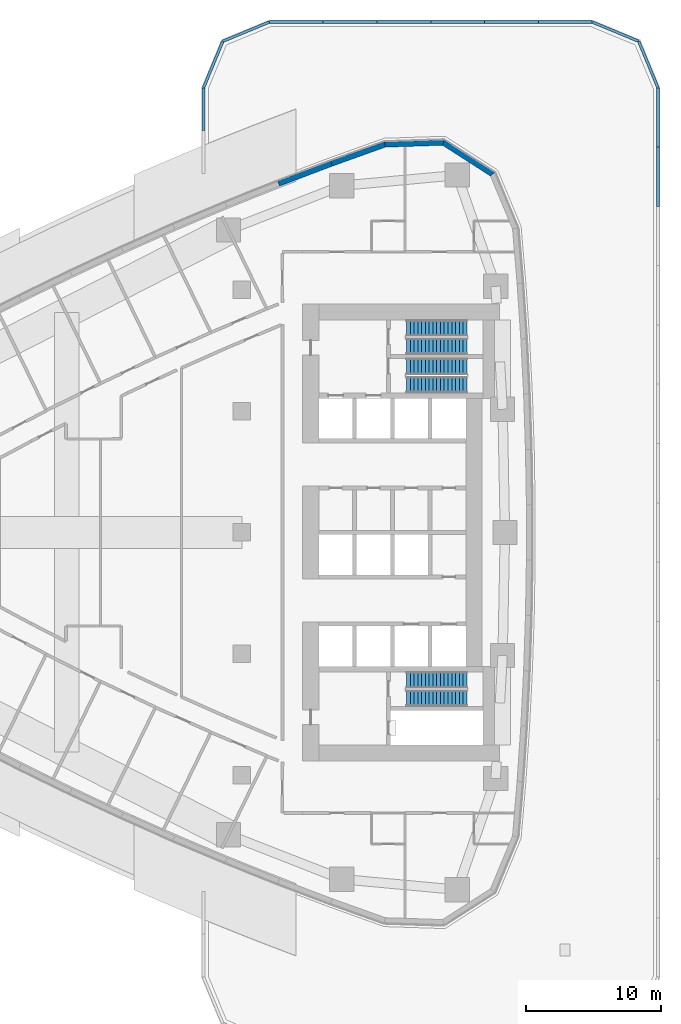
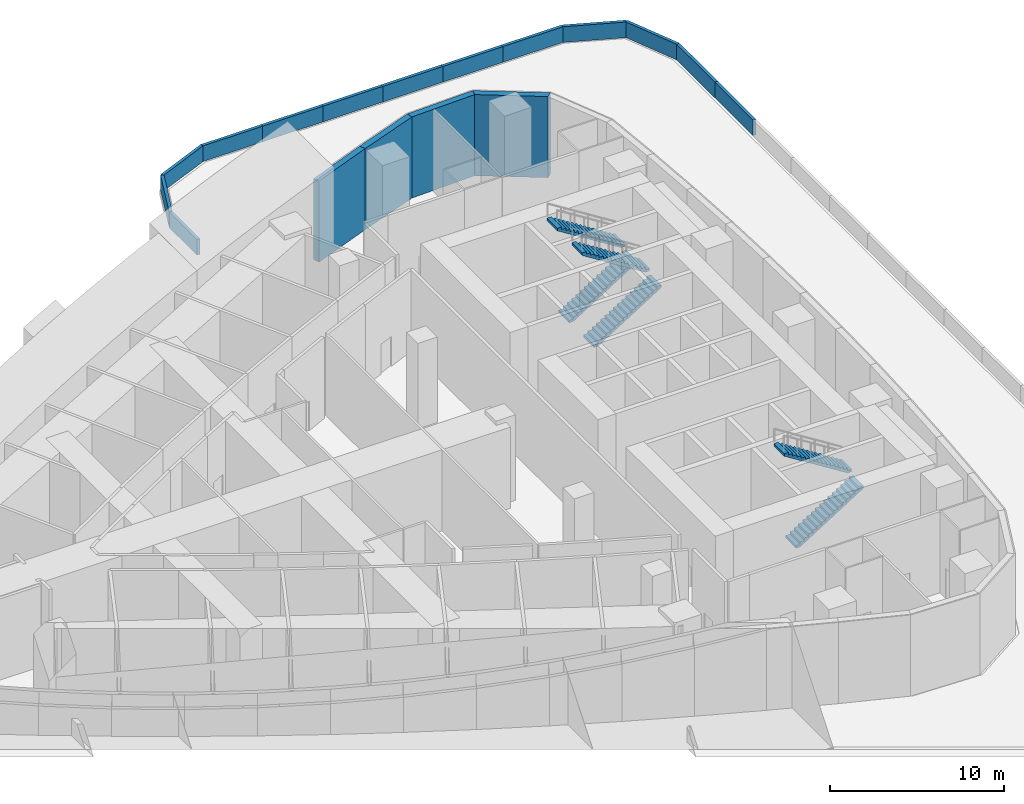
# One storey, part 7 of 14: 17 walls, 6 stair flights, 3 elements without a shape of their own.
"""IFC4 building model written with IfcOpenShell, lengths in metres."""

from ifc_helpers import new_model, si_unit, direction, frame, frame_2d, origin, place, context, subcontext, project, spatial, polyline, rectangle, outline, extrude, material, layer, layer_set, type_object, element, aggregate, save


model = new_model("IFC4")

# Units and contexts
model_context = context("Model", 3, precision=1e-05, world=origin(), true_north=direction((0.0, 1.0)))
body_context = subcontext(model_context, "Body", "Model", "MODEL_VIEW")
ifc_project = project(units=[si_unit("LENGTHUNIT", "METRE"), si_unit("AREAUNIT", "SQUARE_METRE"), si_unit("VOLUMEUNIT", "CUBIC_METRE"), si_unit("PLANEANGLEUNIT", "RADIAN"), si_unit("MASSUNIT", "GRAM", prefix="KILO")], contexts=[model_context])

# Site, building, storey
site_placement = place(None, origin())
site = spatial("IfcSite", under=ifc_project, at=site_placement, CompositionType="ELEMENT")
building_placement = place(site_placement, origin())
building = spatial("IfcBuilding", under=site, at=building_placement, Name="Ostrand Prow Hotel Tower", CompositionType="ELEMENT")
storey_placement = place(building_placement, frame((0.0, 0.0, 29.0)))
storey = spatial("IfcBuildingStorey", under=building, at=storey_placement, Name="L05", CompositionType="ELEMENT", Elevation=29.0)

# Walls
ifc_material_1 = material(Name="Precast concrete C40/50", Category="concrete")
ifc_layer_1 = layer(ifc_material_1, 0.199951171875)
ifc_layer_set_1 = layer_set([ifc_layer_1], Name="Precast concrete C40/50")
wall_type_1 = type_object("IfcWallType", Name="Roof parapet 200 mm precast concrete", PredefinedType="PARAPET", material=ifc_layer_set_1)
wall_1_placement = place(storey_placement, frame((42.14990234375, 32.97021484375, 0.0), z_axis=(0.0, 0.0, 1.0), x_axis=(0.0, -1.0, 0.0)))
element("IfcWall", 1, at=wall_1_placement, inside=storey, type_object=wall_type_1, Name="Roof parapet PRP0 1.1", PredefinedType="PARAPET", context=body_context, shape_type="SweptSolid", body=[
    extrude(rectangle(XDim=3.1787109375, YDim=0.199951171875, at=frame_2d((1.58935546875, 0.0))), origin(), (0.0, 0.0, 1.0), 1.10009765625),
])
wall_2_placement = place(storey_placement, frame((75.85009765625, 24.177978515625, 0.0), z_axis=(0.0, 0.0, 1.0), x_axis=(0.0, 1.0, 0.0)))
element("IfcWall", 2, at=wall_2_placement, inside=storey, type_object=wall_type_1, Name="Roof parapet PRP0 1.55", PredefinedType="PARAPET", context=body_context, shape_type="SweptSolid", body=[
    extrude(rectangle(XDim=4.396240234375, YDim=0.199951171875, at=frame_2d((2.1982421875, 0.0))), origin(), (0.0, 0.0, 1.0), 1.10009765625),
])
wall_3_placement = place(storey_placement, frame((75.85009765625, 28.57421875, 0.0), z_axis=(0.0, 0.0, 1.0), x_axis=(0.0, 1.0, 0.0)))
element("IfcWall", 3, at=wall_3_placement, inside=storey, type_object=wall_type_1, Name="Roof parapet PRP0 1.56", PredefinedType="PARAPET", context=body_context, shape_type="SweptSolid", body=[
    extrude(rectangle(XDim=4.39599609375, YDim=0.199951171875, at=frame_2d((2.197998046875, 0.0))), origin(), (0.0, 0.0, 1.0), 1.10009765625),
])
for number, where, z_axis, x_axis, name in (
    (4, (75.85009765625, 32.97021484375, 0.0), (0.0, 0.0, 1.0), (-0.382734748475, 0.923858275013, 0.0), "Roof parapet PRP0 1.57"),
    (5, (74.420654296875, 36.420654296875, 0.0), (0.0, 0.0, 1.0), (-0.923858275013, 0.382734748475, 0.0), "Roof parapet PRP0 1.58"),
):
    element("IfcWall", number, at=place(storey_placement, frame(where, z_axis=z_axis, x_axis=x_axis)), inside=storey, type_object=wall_type_1, Name=name, PredefinedType="PARAPET", context=body_context, shape_type="SweptSolid", body=[
        extrude(rectangle(XDim=3.73486328125, YDim=0.199951171875, at=frame_2d((1.867431640625, 0.0))), origin(), (0.0, 0.0, 1.0), 1.10009765625),
    ])
wall_4_placement = place(storey_placement, frame((70.97021484375, 37.85009765625, 0.0), z_axis=(0.0, 0.0, 1.0), x_axis=(-1.0, 0.0, 0.0)))
element("IfcWall", 6, at=wall_4_placement, inside=storey, type_object=wall_type_1, Name="Roof parapet PRP0 1.59", PredefinedType="PARAPET", context=body_context, shape_type="SweptSolid", body=[
    extrude(rectangle(XDim=3.990234375, YDim=0.199951171875, at=frame_2d((1.9951171875, 0.0))), origin(), (0.0, 0.0, 1.0), 1.10009765625),
])
for number, where, z_axis, x_axis, name in (
    (7, (66.97998046875, 37.85009765625, 0.0), (0.0, 0.0, 1.0), (-1.0, 0.0, 0.0), "Roof parapet PRP0 1.60"),
    (8, (62.989990234375, 37.85009765625, 0.0), (0.0, 0.0, 1.0), (-1.0, 0.0, 0.0), "Roof parapet PRP0 1.61"),
    (9, (59.0, 37.85009765625, 0.0), (0.0, 0.0, 1.0), (-1.0, 0.0, 0.0), "Roof parapet PRP0 1.62"),
    (10, (55.010009765625, 37.85009765625, 0.0), (0.0, 0.0, 1.0), (-1.0, 0.0, 0.0), "Roof parapet PRP0 1.63"),
):
    element("IfcWall", number, at=place(storey_placement, frame(where, z_axis=z_axis, x_axis=x_axis)), inside=storey, type_object=wall_type_1, Name=name, PredefinedType="PARAPET", context=body_context, shape_type="SweptSolid", body=[
        extrude(rectangle(XDim=3.989990234375, YDim=0.199951171875, at=frame_2d((1.9951171875, 0.0))), origin(), (0.0, 0.0, 1.0), 1.10009765625),
    ])
wall_5_placement = place(storey_placement, frame((51.02001953125, 37.85009765625, 0.0), z_axis=(0.0, 0.0, 1.0), x_axis=(-1.0, 0.0, 0.0)))
element("IfcWall", 11, at=wall_5_placement, inside=storey, type_object=wall_type_1, Name="Roof parapet PRP0 1.64", PredefinedType="PARAPET", context=body_context, shape_type="SweptSolid", body=[
    extrude(rectangle(XDim=3.990234375, YDim=0.199951171875, at=frame_2d((1.9951171875, 0.0))), origin(), (0.0, 0.0, 1.0), 1.10009765625),
])
for number, where, z_axis, x_axis, name in (
    (12, (47.02978515625, 37.85009765625, 0.0), (0.0, 0.0, 1.0), (-0.923858275013, -0.382734748475, 0.0), "Roof parapet PRP0 1.65"),
    (13, (43.579345703125, 36.420654296875, 0.0), (0.0, 0.0, 1.0), (-0.382734748475, -0.923858275013, 0.0), "Roof parapet PRP0 1.66"),
):
    element("IfcWall", number, at=place(storey_placement, frame(where, z_axis=z_axis, x_axis=x_axis)), inside=storey, type_object=wall_type_1, Name=name, PredefinedType="PARAPET", context=body_context, shape_type="SweptSolid", body=[
        extrude(rectangle(XDim=3.73486328125, YDim=0.199951171875, at=frame_2d((1.867431640625, 0.0))), origin(), (0.0, 0.0, 1.0), 1.10009765625),
    ])
ifc_material_2 = material(Name="Precast concrete C40/50", Category="concrete")
ifc_layer_2 = layer(ifc_material_2, 0.39990234375)
ifc_layer_set_2 = layer_set([ifc_layer_2], Name="Precast concrete C40/50")
wall_type_2 = type_object("IfcWallType", Name="Stone-faced precast wall 400 mm", PredefinedType="NOTDEFINED", material=ifc_layer_set_2)
wall_6_placement = place(storey_placement, frame((63.58837890625, 26.55810546875, 0.0), z_axis=(0.0, 0.0, 1.0), x_axis=(-0.840937468718, 0.541132307025, 0.0)))
element("IfcWall", 14, at=wall_6_placement, inside=storey, type_object=wall_type_2, Name="Stone-faced wall prow 32", PredefinedType="NOTDEFINED", context=body_context, shape_type="SweptSolid", body=[
    extrude(outline(polyline([(-0.0625, -0.199951171875), (4.40869140625, -0.199951171875), (4.28369140625, 0.199951171875), (0.0625, 0.199951171875), (-0.0625, -0.199951171875)])), origin(), (0.0, 0.0, 1.0), 5.699951171875),
])
wall_7_placement = place(storey_placement, frame((59.93359375, 28.909912109375, 0.0), z_axis=(0.0, 0.0, 1.0), x_axis=(-0.999463576228, -0.032749958686, 0.0)))
element("IfcWall", 15, at=wall_7_placement, inside=storey, type_object=wall_type_2, Name="Stone-faced wall prow 33", PredefinedType="NOTDEFINED", context=body_context, shape_type="SweptSolid", body=[
    extrude(outline(polyline([(-0.0625, -0.199951171875), (4.377685546875, -0.199951171875), (4.314697265625, 0.199951171875), (0.0625, 0.199951171875), (-0.0625, -0.199951171875)])), origin(), (0.0, 0.0, 1.0), 5.699951171875),
])
wall_8_placement = place(storey_placement, frame((55.58984375, 28.767578125, 0.0), z_axis=(0.0, 0.0, 1.0), x_axis=(-0.941339752885, -0.337460323057, 0.0)))
element("IfcWall", 16, at=wall_8_placement, inside=storey, type_object=wall_type_2, Name="Stone-faced wall prow 34", PredefinedType="NOTDEFINED", context=body_context, shape_type="SweptSolid", body=[
    extrude(outline(polyline([(-0.031494140625, -0.199951171875), (4.19775390625, -0.199951171875), (4.1943359375, 0.199951171875), (0.031494140625, 0.199951171875), (-0.031494140625, -0.199951171875)])), origin(), (0.0, 0.0, 1.0), 5.699951171875),
])
wall_9_placement = place(storey_placement, frame((51.639892578125, 27.3515625, 0.0), z_axis=(0.0, 0.0, 1.0), x_axis=(-0.934961594906, -0.354748947921, 0.0)))
element("IfcWall", 17, at=wall_9_placement, inside=storey, type_object=wall_type_2, Name="Stone-faced wall prow 35", PredefinedType="NOTDEFINED", context=body_context, shape_type="SweptSolid", body=[
    extrude(outline(polyline([(-0.001708984375, -0.199951171875), (4.19775390625, -0.199951171875), (4.1943359375, 0.199951171875), (0.001708984375, 0.199951171875), (-0.001708984375, -0.199951171875)])), origin(), (0.0, 0.0, 1.0), 5.699951171875),
])

# Stair, stair flights
ifc_material_3 = material(Name="Concrete C40/50", Category="concrete")
stair_type = type_object("IfcStairType", Name="Exit stair 1200 middle zone", PredefinedType="HALF_TURN_STAIR", material=ifc_material_3)
stair_1_placement = place(storey_placement, origin())
stair_1 = element("IfcStair", 18, at=stair_1_placement, inside=storey, type_object=stair_type, Name="L05 ST1B", PredefinedType="HALF_TURN_STAIR")
ifc_material_4 = material(Name="Concrete C40/50", Category="concrete")
stair_flight_type = type_object("IfcStairFlightType", Name="Stair flight 1200 concrete", PredefinedType="STRAIGHT", material=ifc_material_4)
stair_flight_1_placement = place(storey_placement, frame((57.199951171875, 10.949951171875, 0.0), z_axis=(0.0, 0.0, 1.0), x_axis=(1.0, 0.0, 0.0)))
stair_flight_1 = element("IfcStairFlight", 19, at=stair_flight_1_placement, type_object=stair_flight_type, Name="ST1B flight 1", NumberOfRisers=17, NumberOfTreads=16, PredefinedType="STRAIGHT", RiserHeight=0.176470588, TreadLength=0.28, context=body_context, shape_type="SweptSolid", body=[
    extrude(outline(polyline([(0.0, 0.0), (0.0, 0.176513671875), (0.280029296875, 0.176513671875), (0.280029296875, 0.35302734375), (0.56005859375, 0.35302734375), (0.56005859375, 0.529296875), (0.840087890625, 0.529296875), (0.840087890625, 0.705810546875), (1.1201171875, 0.705810546875), (1.1201171875, 0.88232421875), (1.39990234375, 0.88232421875), (1.39990234375, 1.058837890625), (1.679931640625, 1.058837890625), (1.679931640625, 1.2353515625), (1.9599609375, 1.2353515625), (1.9599609375, 1.411865234375), (2.239990234375, 1.411865234375), (2.239990234375, 1.588134765625), (2.52001953125, 1.588134765625), (2.52001953125, 1.7646484375), (2.800048828125, 1.7646484375), (2.800048828125, 1.941162109375), (3.080078125, 1.941162109375), (3.080078125, 2.11767578125), (3.360107421875, 2.11767578125), (3.360107421875, 2.294189453125), (3.639892578125, 2.294189453125), (3.639892578125, 2.470703125), (3.919921875, 2.470703125), (3.919921875, 2.64697265625), (4.199951171875, 2.64697265625), (4.199951171875, 2.823486328125), (4.47998046875, 2.823486328125), (4.47998046875, 3.0), (4.47998046875, 2.646240234375), (0.28125, 0.0), (0.0, 0.0)])), frame((0.0, 0.60009765625, 0.0), z_axis=(0.0, -1.0, 0.0), x_axis=(1.0, 0.0, 0.0)), (0.0, 0.0, 1.0), 1.199951171875),
])
stair_flight_2_placement = place(storey_placement, frame((61.679931640625, 12.300048828125, 3.0), z_axis=(0.0, 0.0, 1.0), x_axis=(-1.0, 0.0, 0.0)))
stair_flight_2 = element("IfcStairFlight", 20, at=stair_flight_2_placement, type_object=stair_flight_type, Name="ST1B flight 2", NumberOfRisers=17, NumberOfTreads=16, PredefinedType="STRAIGHT", RiserHeight=0.176470588, TreadLength=0.28, context=body_context, shape_type="SweptSolid", body=[
    extrude(outline(polyline([(0.0, 0.0), (0.0, 0.176513671875), (0.280029296875, 0.176513671875), (0.280029296875, 0.35302734375), (0.56005859375, 0.35302734375), (0.56005859375, 0.529296875), (0.840087890625, 0.529296875), (0.840087890625, 0.705810546875), (1.1201171875, 0.705810546875), (1.1201171875, 0.88232421875), (1.39990234375, 0.88232421875), (1.39990234375, 1.058837890625), (1.679931640625, 1.058837890625), (1.679931640625, 1.2353515625), (1.9599609375, 1.2353515625), (1.9599609375, 1.411865234375), (2.239990234375, 1.411865234375), (2.239990234375, 1.588134765625), (2.52001953125, 1.588134765625), (2.52001953125, 1.7646484375), (2.800048828125, 1.7646484375), (2.800048828125, 1.941162109375), (3.080078125, 1.941162109375), (3.080078125, 2.11767578125), (3.360107421875, 2.11767578125), (3.360107421875, 2.294189453125), (3.639892578125, 2.294189453125), (3.639892578125, 2.470703125), (3.919921875, 2.470703125), (3.919921875, 2.64697265625), (4.199951171875, 2.64697265625), (4.199951171875, 2.823486328125), (4.47998046875, 2.823486328125), (4.47998046875, 3.0), (4.47998046875, 2.646240234375), (0.28125, 0.0), (0.0, 0.0)])), frame((0.0, 0.60009765625, 0.0), z_axis=(0.0, -1.0, 0.0), x_axis=(1.0, 0.0, 0.0)), (0.0, 0.0, 1.0), 1.199951171875),
])
aggregate(stair_1, [stair_flight_1, stair_flight_2])

stair_2_placement = place(storey_placement, origin())
stair_2 = element("IfcStair", 21, at=stair_2_placement, inside=storey, type_object=stair_type, Name="L05 ST3B", PredefinedType="HALF_TURN_STAIR")
stair_flight_3_placement = place(storey_placement, frame((57.199951171875, 13.800048828125, 0.0), z_axis=(0.0, 0.0, 1.0), x_axis=(1.0, 0.0, 0.0)))
stair_flight_3 = element("IfcStairFlight", 22, at=stair_flight_3_placement, type_object=stair_flight_type, Name="ST3B flight 1", NumberOfRisers=17, NumberOfTreads=16, PredefinedType="STRAIGHT", RiserHeight=0.176470588, TreadLength=0.28, context=body_context, shape_type="SweptSolid", body=[
    extrude(outline(polyline([(0.0, 0.0), (0.0, 0.176513671875), (0.280029296875, 0.176513671875), (0.280029296875, 0.35302734375), (0.56005859375, 0.35302734375), (0.56005859375, 0.529296875), (0.840087890625, 0.529296875), (0.840087890625, 0.705810546875), (1.1201171875, 0.705810546875), (1.1201171875, 0.88232421875), (1.39990234375, 0.88232421875), (1.39990234375, 1.058837890625), (1.679931640625, 1.058837890625), (1.679931640625, 1.2353515625), (1.9599609375, 1.2353515625), (1.9599609375, 1.411865234375), (2.239990234375, 1.411865234375), (2.239990234375, 1.588134765625), (2.52001953125, 1.588134765625), (2.52001953125, 1.7646484375), (2.800048828125, 1.7646484375), (2.800048828125, 1.941162109375), (3.080078125, 1.941162109375), (3.080078125, 2.11767578125), (3.360107421875, 2.11767578125), (3.360107421875, 2.294189453125), (3.639892578125, 2.294189453125), (3.639892578125, 2.470703125), (3.919921875, 2.470703125), (3.919921875, 2.64697265625), (4.199951171875, 2.64697265625), (4.199951171875, 2.823486328125), (4.47998046875, 2.823486328125), (4.47998046875, 3.0), (4.47998046875, 2.646240234375), (0.28125, 0.0), (0.0, 0.0)])), frame((0.0, 0.60009765625, 0.0), z_axis=(0.0, -1.0, 0.0), x_axis=(1.0, 0.0, 0.0)), (0.0, 0.0, 1.0), 1.199951171875),
])
stair_flight_4_placement = place(storey_placement, frame((61.679931640625, 15.14990234375, 3.0), z_axis=(0.0, 0.0, 1.0), x_axis=(-1.0, 0.0, 0.0)))
stair_flight_4 = element("IfcStairFlight", 23, at=stair_flight_4_placement, type_object=stair_flight_type, Name="ST3B flight 2", NumberOfRisers=17, NumberOfTreads=16, PredefinedType="STRAIGHT", RiserHeight=0.176470588, TreadLength=0.28, context=body_context, shape_type="SweptSolid", body=[
    extrude(outline(polyline([(0.0, 0.0), (0.0, 0.176513671875), (0.280029296875, 0.176513671875), (0.280029296875, 0.35302734375), (0.56005859375, 0.35302734375), (0.56005859375, 0.529296875), (0.840087890625, 0.529296875), (0.840087890625, 0.705810546875), (1.1201171875, 0.705810546875), (1.1201171875, 0.88232421875), (1.39990234375, 0.88232421875), (1.39990234375, 1.058837890625), (1.679931640625, 1.058837890625), (1.679931640625, 1.2353515625), (1.9599609375, 1.2353515625), (1.9599609375, 1.411865234375), (2.239990234375, 1.411865234375), (2.239990234375, 1.588134765625), (2.52001953125, 1.588134765625), (2.52001953125, 1.7646484375), (2.800048828125, 1.7646484375), (2.800048828125, 1.941162109375), (3.080078125, 1.941162109375), (3.080078125, 2.11767578125), (3.360107421875, 2.11767578125), (3.360107421875, 2.294189453125), (3.639892578125, 2.294189453125), (3.639892578125, 2.470703125), (3.919921875, 2.470703125), (3.919921875, 2.64697265625), (4.199951171875, 2.64697265625), (4.199951171875, 2.823486328125), (4.47998046875, 2.823486328125), (4.47998046875, 3.0), (4.47998046875, 2.646240234375), (0.28125, 0.0), (0.0, 0.0)])), frame((0.0, 0.60009765625, 0.0), z_axis=(0.0, -1.0, 0.0), x_axis=(1.0, 0.0, 0.0)), (0.0, 0.0, 1.0), 1.199951171875),
])
aggregate(stair_2, [stair_flight_3, stair_flight_4])

stair_3_placement = place(storey_placement, origin())
stair_3 = element("IfcStair", 24, at=stair_3_placement, inside=storey, type_object=stair_type, Name="L05 ST2B", PredefinedType="HALF_TURN_STAIR")
stair_flight_5_placement = place(storey_placement, frame((57.199951171875, -12.300048828125, 0.0), z_axis=(0.0, 0.0, 1.0), x_axis=(1.0, 0.0, 0.0)))
stair_flight_5 = element("IfcStairFlight", 25, at=stair_flight_5_placement, type_object=stair_flight_type, Name="ST2B flight 1", NumberOfRisers=17, NumberOfTreads=16, PredefinedType="STRAIGHT", RiserHeight=0.176470588, TreadLength=0.28, context=body_context, shape_type="SweptSolid", body=[
    extrude(outline(polyline([(0.0, 0.0), (0.0, 0.176513671875), (0.280029296875, 0.176513671875), (0.280029296875, 0.35302734375), (0.56005859375, 0.35302734375), (0.56005859375, 0.529296875), (0.840087890625, 0.529296875), (0.840087890625, 0.705810546875), (1.1201171875, 0.705810546875), (1.1201171875, 0.88232421875), (1.39990234375, 0.88232421875), (1.39990234375, 1.058837890625), (1.679931640625, 1.058837890625), (1.679931640625, 1.2353515625), (1.9599609375, 1.2353515625), (1.9599609375, 1.411865234375), (2.239990234375, 1.411865234375), (2.239990234375, 1.588134765625), (2.52001953125, 1.588134765625), (2.52001953125, 1.7646484375), (2.800048828125, 1.7646484375), (2.800048828125, 1.941162109375), (3.080078125, 1.941162109375), (3.080078125, 2.11767578125), (3.360107421875, 2.11767578125), (3.360107421875, 2.294189453125), (3.639892578125, 2.294189453125), (3.639892578125, 2.470703125), (3.919921875, 2.470703125), (3.919921875, 2.64697265625), (4.199951171875, 2.64697265625), (4.199951171875, 2.823486328125), (4.47998046875, 2.823486328125), (4.47998046875, 3.0), (4.47998046875, 2.646240234375), (0.28125, 0.0), (0.0, 0.0)])), frame((0.0, 0.60009765625, 0.0), z_axis=(0.0, -1.0, 0.0), x_axis=(1.0, 0.0, 0.0)), (0.0, 0.0, 1.0), 1.199951171875),
])
stair_flight_6_placement = place(storey_placement, frame((61.679931640625, -10.949951171875, 3.0), z_axis=(0.0, 0.0, 1.0), x_axis=(-1.0, 0.0, 0.0)))
stair_flight_6 = element("IfcStairFlight", 26, at=stair_flight_6_placement, type_object=stair_flight_type, Name="ST2B flight 2", NumberOfRisers=17, NumberOfTreads=16, PredefinedType="STRAIGHT", RiserHeight=0.176470588, TreadLength=0.28, context=body_context, shape_type="SweptSolid", body=[
    extrude(outline(polyline([(0.0, 0.0), (0.0, 0.176513671875), (0.280029296875, 0.176513671875), (0.280029296875, 0.35302734375), (0.56005859375, 0.35302734375), (0.56005859375, 0.529296875), (0.840087890625, 0.529296875), (0.840087890625, 0.705810546875), (1.1201171875, 0.705810546875), (1.1201171875, 0.88232421875), (1.39990234375, 0.88232421875), (1.39990234375, 1.058837890625), (1.679931640625, 1.058837890625), (1.679931640625, 1.2353515625), (1.9599609375, 1.2353515625), (1.9599609375, 1.411865234375), (2.239990234375, 1.411865234375), (2.239990234375, 1.588134765625), (2.52001953125, 1.588134765625), (2.52001953125, 1.7646484375), (2.800048828125, 1.7646484375), (2.800048828125, 1.941162109375), (3.080078125, 1.941162109375), (3.080078125, 2.11767578125), (3.360107421875, 2.11767578125), (3.360107421875, 2.294189453125), (3.639892578125, 2.294189453125), (3.639892578125, 2.470703125), (3.919921875, 2.470703125), (3.919921875, 2.64697265625), (4.199951171875, 2.64697265625), (4.199951171875, 2.823486328125), (4.47998046875, 2.823486328125), (4.47998046875, 3.0), (4.47998046875, 2.646240234375), (0.28125, 0.0), (0.0, 0.0)])), frame((0.0, 0.60009765625, 0.0), z_axis=(0.0, -1.0, 0.0), x_axis=(1.0, 0.0, 0.0)), (0.0, 0.0, 1.0), 1.199951171875),
])
aggregate(stair_3, [stair_flight_5, stair_flight_6])

save(model, "model.ifc")
